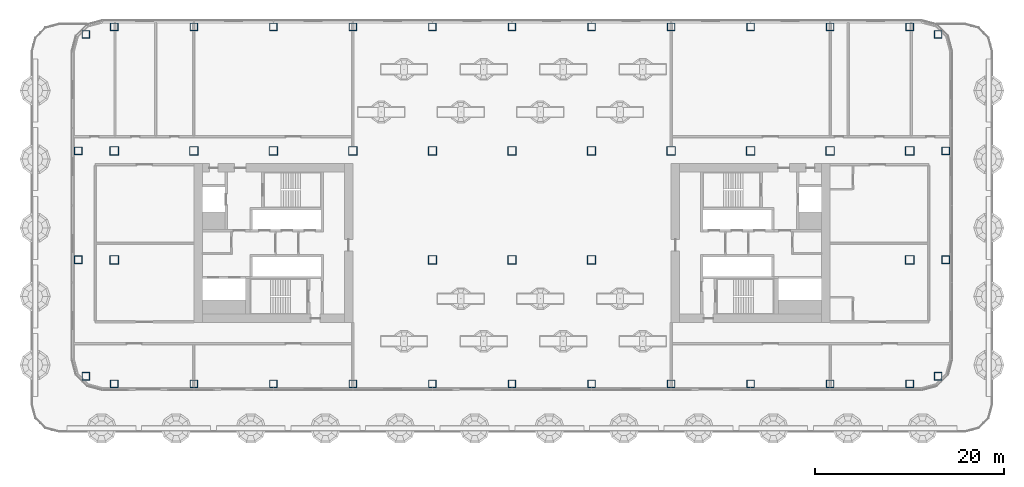
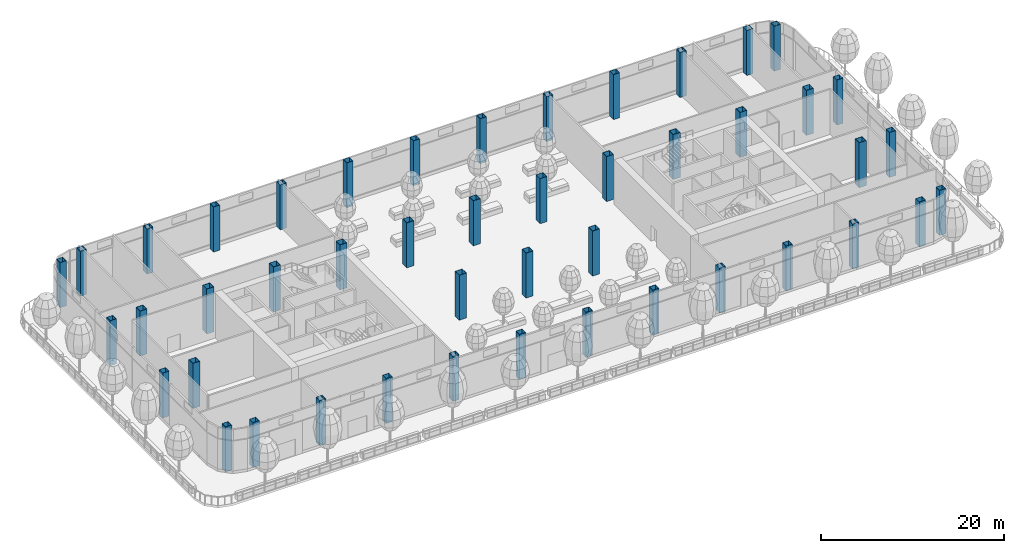
# One storey, part 1 of 44: 46 columns.
"""IFC4 building model written with IfcOpenShell, lengths in metres."""

from ifc_helpers import new_model, si_unit, direction, frame, origin, origin_2d, place, context, subcontext, project, spatial, hollow_rectangle, extrude, material, material_profile, profile_set, type_object, element, save


model = new_model("IFC4")

# Units and contexts
model_context = context("Model", 3, precision=1e-05, world=origin(), true_north=direction((0.0, 1.0)))
body_context = subcontext(model_context, "Body", "Model", "MODEL_VIEW")
ifc_project = project(units=[si_unit("LENGTHUNIT", "METRE"), si_unit("AREAUNIT", "SQUARE_METRE"), si_unit("VOLUMEUNIT", "CUBIC_METRE"), si_unit("PLANEANGLEUNIT", "RADIAN"), si_unit("MASSUNIT", "GRAM", prefix="KILO")], contexts=[model_context])

# Site, building, storey
site_placement = place(None, origin())
site = spatial("IfcSite", under=ifc_project, at=site_placement, CompositionType="ELEMENT")
building_placement = place(site_placement, origin())
building = spatial("IfcBuilding", under=site, at=building_placement, Name="Hakoniwa Tower and Hamabe Station Hall", CompositionType="ELEMENT")
storey_placement = place(building_placement, frame((0.0, 0.0, 69.0)))
storey = spatial("IfcBuildingStorey", under=building, at=storey_placement, Name="L19", CompositionType="ELEMENT", Elevation=69.0)

# Columns
ifc_material_1 = material(Name="Steel SN490C", Category="steel")
ifc_material_profile_1 = material_profile(ifc_material_1, hollow_rectangle(XDim=0.800048828125, YDim=0.800048828125, WallThickness=0.031982421875, at=origin_2d()), Name="BX-800x800x32")
ifc_profile_set_1 = profile_set([ifc_material_profile_1], Name="Steel SN490C")
column_type_1 = type_object("IfcColumnType", Name="COLUMN BX-800x800x32", PredefinedType="COLUMN", material=ifc_profile_set_1)
for number, where, z_axis, x_axis, name in (
    (1, (-45.003173828125, -14.052978515625, 0.0), (0.0, 0.0, 1.0), (1.0, 0.0, 0.0), "Column B2-EW-A2"),
    (2, (-45.800048828125, -1.75, 0.0), (0.0, 0.0, 1.0), (1.0, 0.0, 0.0), "Column B2-EW-C2"),
    (3, (-45.800048828125, 9.75, 0.0), (0.0, 0.0, 1.0), (1.0, 0.0, 0.0), "Column B2-EW-E2"),
    (4, (-45.003173828125, 22.052978515625, 0.0), (0.0, 0.0, 1.0), (1.0, 0.0, 0.0), "Column B2-EW-G2"),
    (5, (-42.0, -14.85009765625, 0.0), (0.0, 0.0, 1.0), (1.0, 0.0, 0.0), "Column B2-2-A2"),
    (6, (-42.0, 22.85009765625, 0.0), (0.0, 0.0, 1.0), (1.0, 0.0, 0.0), "Column B2-2-G2"),
    (7, (-33.60009765625, -14.85009765625, 0.0), (0.0, 0.0, 1.0), (1.0, 0.0, 0.0), "Column B2-3-A2"),
    (8, (-33.60009765625, 22.85009765625, 0.0), (0.0, 0.0, 1.0), (1.0, 0.0, 0.0), "Column B2-3-G2"),
    (9, (-25.199951171875, -14.85009765625, 0.0), (0.0, 0.0, 1.0), (1.0, 0.0, 0.0), "Column B2-4-A2"),
    (10, (-25.199951171875, 22.85009765625, 0.0), (0.0, 0.0, 1.0), (1.0, 0.0, 0.0), "Column B2-4-G2"),
    (11, (-16.800048828125, -14.85009765625, 0.0), (0.0, 0.0, 1.0), (1.0, 0.0, 0.0), "Column B2-5-A2"),
    (12, (-16.800048828125, 22.85009765625, 0.0), (0.0, 0.0, 1.0), (1.0, 0.0, 0.0), "Column B2-5-G2"),
    (13, (-8.39990234375, -14.85009765625, 0.0), (0.0, 0.0, 1.0), (1.0, 0.0, 0.0), "Column B2-6-A2"),
    (14, (-8.39990234375, 22.85009765625, 0.0), (0.0, 0.0, 1.0), (1.0, 0.0, 0.0), "Column B2-6-G2"),
    (15, (0.0, -14.85009765625, 0.0), (0.0, 0.0, 1.0), (1.0, 0.0, 0.0), "Column B2-7-A2"),
    (16, (0.0, 22.85009765625, 0.0), (0.0, 0.0, 1.0), (1.0, 0.0, 0.0), "Column B2-7-G2"),
    (17, (8.39990234375, -14.85009765625, 0.0), (0.0, 0.0, 1.0), (1.0, 0.0, 0.0), "Column B2-8-A2"),
    (18, (8.39990234375, 22.85009765625, 0.0), (0.0, 0.0, 1.0), (1.0, 0.0, 0.0), "Column B2-8-G2"),
    (19, (16.800048828125, -14.85009765625, 0.0), (0.0, 0.0, 1.0), (1.0, 0.0, 0.0), "Column B2-9-A2"),
    (20, (16.800048828125, 22.85009765625, 0.0), (0.0, 0.0, 1.0), (1.0, 0.0, 0.0), "Column B2-9-G2"),
    (21, (25.199951171875, -14.85009765625, 0.0), (0.0, 0.0, 1.0), (1.0, 0.0, 0.0), "Column B2-10-A2"),
    (22, (25.199951171875, 22.85009765625, 0.0), (0.0, 0.0, 1.0), (1.0, 0.0, 0.0), "Column B2-10-G2"),
    (23, (33.60009765625, -14.85009765625, 0.0), (0.0, 0.0, 1.0), (1.0, 0.0, 0.0), "Column B2-11-A2"),
    (24, (33.60009765625, 22.85009765625, 0.0), (0.0, 0.0, 1.0), (1.0, 0.0, 0.0), "Column B2-11-G2"),
    (25, (42.0, -14.85009765625, 0.0), (0.0, 0.0, 1.0), (1.0, 0.0, 0.0), "Column B2-12-A2"),
    (26, (42.0, 22.85009765625, 0.0), (0.0, 0.0, 1.0), (1.0, 0.0, 0.0), "Column B2-12-G2"),
    (27, (45.003173828125, -14.052978515625, 0.0), (0.0, 0.0, 1.0), (1.0, 0.0, 0.0), "Column B2-EE-A2"),
    (28, (45.800048828125, -1.75, 0.0), (0.0, 0.0, 1.0), (1.0, 0.0, 0.0), "Column B2-EE-C2"),
    (29, (45.800048828125, 9.75, 0.0), (0.0, 0.0, 1.0), (1.0, 0.0, 0.0), "Column B2-EE-E2"),
    (30, (45.003173828125, 22.052978515625, 0.0), (0.0, 0.0, 1.0), (1.0, 0.0, 0.0), "Column B2-EE-G2"),
):
    element("IfcColumn", number, at=place(storey_placement, frame(where, z_axis=z_axis, x_axis=x_axis)), inside=storey, type_object=column_type_1, Name=name, PredefinedType="COLUMN", context=body_context, shape_type="SweptSolid", body=[
        extrude(hollow_rectangle(XDim=0.800048828125, YDim=0.800048828125, WallThickness=0.031982421875, at=origin_2d()), origin(), (0.0, 0.0, 1.0), 6.0),
    ])
ifc_material_2 = material(Name="Steel SN490C", Category="steel")
ifc_material_profile_2 = material_profile(ifc_material_2, hollow_rectangle(XDim=0.89990234375, YDim=0.89990234375, WallThickness=0.035888671875, at=origin_2d()), Name="BX-900x900x36")
ifc_profile_set_2 = profile_set([ifc_material_profile_2], Name="Steel SN490C")
column_type_2 = type_object("IfcColumnType", Name="COLUMN BX-900x900x36", PredefinedType="COLUMN", material=ifc_profile_set_2)
for number, where, z_axis, x_axis, name in (
    (31, (-42.0, -1.75, 0.0), (0.0, 0.0, 1.0), (1.0, 0.0, 0.0), "Column B2-2-C2"),
    (32, (-42.0, 9.75, 0.0), (0.0, 0.0, 1.0), (1.0, 0.0, 0.0), "Column B2-2-E2"),
    (33, (-33.60009765625, 9.75, 0.0), (0.0, 0.0, 1.0), (1.0, 0.0, 0.0), "Column B2-3-E2"),
    (34, (-25.199951171875, 9.75, 0.0), (0.0, 0.0, 1.0), (1.0, 0.0, 0.0), "Column B2-4-E2"),
    (35, (-16.800048828125, 9.75, 0.0), (0.0, 0.0, 1.0), (1.0, 0.0, 0.0), "Column B2-5-E2"),
    (36, (-8.39990234375, -1.75, 0.0), (0.0, 0.0, 1.0), (1.0, 0.0, 0.0), "Column B2-6-C2"),
    (37, (-8.39990234375, 9.75, 0.0), (0.0, 0.0, 1.0), (1.0, 0.0, 0.0), "Column B2-6-E2"),
    (38, (0.0, -1.75, 0.0), (0.0, 0.0, 1.0), (1.0, 0.0, 0.0), "Column B2-7-C2"),
    (39, (0.0, 9.75, 0.0), (0.0, 0.0, 1.0), (1.0, 0.0, 0.0), "Column B2-7-E2"),
    (40, (8.39990234375, -1.75, 0.0), (0.0, 0.0, 1.0), (1.0, 0.0, 0.0), "Column B2-8-C2"),
    (41, (8.39990234375, 9.75, 0.0), (0.0, 0.0, 1.0), (1.0, 0.0, 0.0), "Column B2-8-E2"),
    (42, (16.800048828125, 9.75, 0.0), (0.0, 0.0, 1.0), (1.0, 0.0, 0.0), "Column B2-9-E2"),
    (43, (25.199951171875, 9.75, 0.0), (0.0, 0.0, 1.0), (1.0, 0.0, 0.0), "Column B2-10-E2"),
    (44, (33.60009765625, 9.75, 0.0), (0.0, 0.0, 1.0), (1.0, 0.0, 0.0), "Column B2-11-E2"),
    (45, (42.0, -1.75, 0.0), (0.0, 0.0, 1.0), (1.0, 0.0, 0.0), "Column B2-12-C2"),
    (46, (42.0, 9.75, 0.0), (0.0, 0.0, 1.0), (1.0, 0.0, 0.0), "Column B2-12-E2"),
):
    element("IfcColumn", number, at=place(storey_placement, frame(where, z_axis=z_axis, x_axis=x_axis)), inside=storey, type_object=column_type_2, Name=name, PredefinedType="COLUMN", context=body_context, shape_type="SweptSolid", body=[
        extrude(hollow_rectangle(XDim=0.89990234375, YDim=0.89990234375, WallThickness=0.035888671875, at=origin_2d()), origin(), (0.0, 0.0, 1.0), 6.0),
    ])

save(model, "model.ifc")
